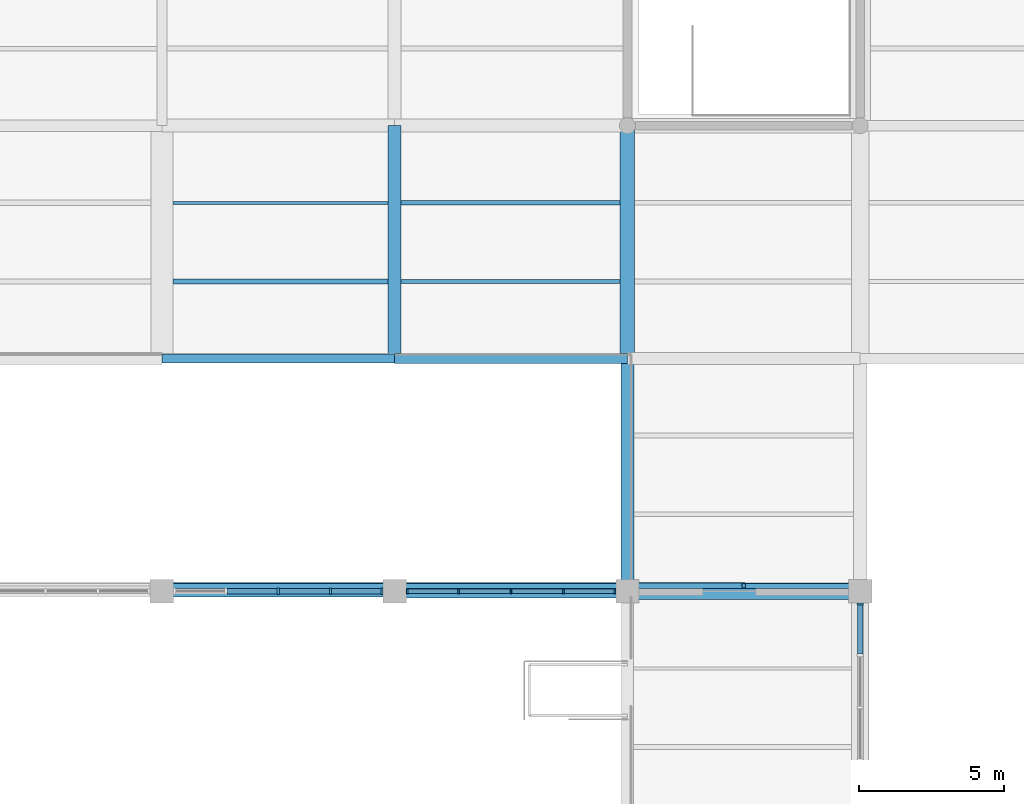
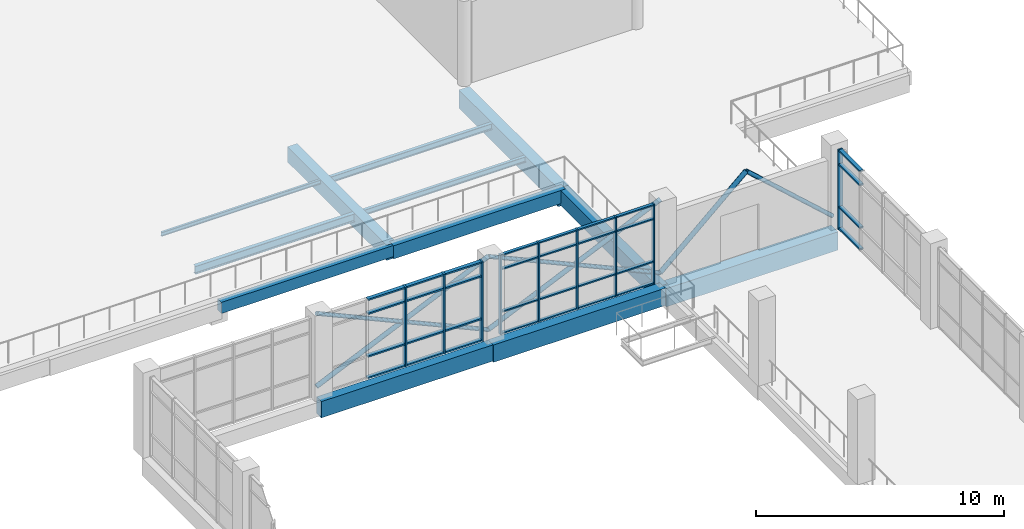
# One storey, part 47 of 84: 47 members, 12 beams, 3 elements without a shape of their own.
"""IFC4 building model written with IfcOpenShell, lengths in metres."""

from ifc_helpers import new_model, si_unit, direction, frame, origin, origin_2d, place, context, subcontext, project, spatial, rectangle, hollow_circle, i_section, extrude, material, material_profile, profile_set, type_object, element, aggregate, save


model = new_model("IFC4")

# Units and contexts
model_context = context("Model", 3, precision=1e-05, world=origin(), true_north=direction((0.0, 1.0)))
body_context = subcontext(model_context, "Body", "Model", "MODEL_VIEW")
ifc_project = project(units=[si_unit("LENGTHUNIT", "METRE"), si_unit("AREAUNIT", "SQUARE_METRE"), si_unit("VOLUMEUNIT", "CUBIC_METRE"), si_unit("PLANEANGLEUNIT", "RADIAN"), si_unit("MASSUNIT", "GRAM", prefix="KILO")], contexts=[model_context])

# Site, building, storey
site_placement = place(None, origin())
site = spatial("IfcSite", under=ifc_project, at=site_placement, CompositionType="ELEMENT")
building_placement = place(site_placement, origin())
building = spatial("IfcBuilding", under=site, at=building_placement, Name="Tenunan Teduh Sports Hall", CompositionType="ELEMENT")
storey_placement = place(building_placement, frame((0.0, 0.0, 10.800048828125)))
storey = spatial("IfcBuildingStorey", under=building, at=storey_placement, Name="L02", CompositionType="ELEMENT", Elevation=10.800048828125)

# Beams
ifc_material_1 = material(Name="Concrete C40/50", Category="concrete")
ifc_material_profile_1 = material_profile(ifc_material_1, rectangle(XDim=0.300048828125, YDim=0.550048828125, at=origin_2d()), Name="RCB 300x550")
ifc_profile_set_1 = profile_set([ifc_material_profile_1], Name="Concrete C40/50")
beam_type_1 = type_object("IfcBeamType", Name="BM-RC-300x550", PredefinedType="BEAM", material=ifc_profile_set_1)
beam_1_placement = place(storey_placement, frame((130.0, 86.0, -0.53515625), z_axis=(1.0, 0.0, 0.0), x_axis=(0.0, 1.0, 0.0)))
element("IfcBeam", 1, at=beam_1_placement, inside=storey, type_object=beam_type_1, Name="BM-B-02-L02-1503", PredefinedType="BEAM", context=body_context, shape_type="SweptSolid", body=[
    extrude(rectangle(XDim=0.300048828125, YDim=0.550048828125, at=origin_2d()), origin(), (0.0, 0.0, 1.0), 8.0),
])
ifc_material_2 = material(Name="Concrete C40/50", Category="concrete")
ifc_material_profile_2 = material_profile(ifc_material_2, rectangle(XDim=0.35009765625, YDim=0.64990234375, at=origin_2d()), Name="RCB 350x650")
ifc_profile_set_2 = profile_set([ifc_material_profile_2], Name="Concrete C40/50")
beam_type_2 = type_object("IfcBeamType", Name="BM-RC-350x650", PredefinedType="BEAM", material=ifc_profile_set_2)
beam_2_placement = place(storey_placement, frame((138.0, 86.0, -0.5849609375), z_axis=(1.0, 0.0, 0.0), x_axis=(0.0, 1.0, 0.0)))
element("IfcBeam", 2, at=beam_2_placement, inside=storey, type_object=beam_type_2, Name="BM-B-05-L02-1504", PredefinedType="BEAM", context=body_context, shape_type="SweptSolid", body=[
    extrude(rectangle(XDim=0.35009765625, YDim=0.64990234375, at=origin_2d()), origin(), (0.0, 0.0, 1.0), 8.0),
])
ifc_material_3 = material(Name="Concrete C40/50", Category="concrete")
ifc_material_profile_3 = material_profile(ifc_material_3, rectangle(XDim=0.39990234375, YDim=0.800048828125, at=origin_2d()), Name="RCB 400x800")
ifc_profile_set_3 = profile_set([ifc_material_profile_3], Name="Concrete C40/50")
beam_type_3 = type_object("IfcBeamType", Name="BM-RC-400x800", PredefinedType="BEAM", material=ifc_profile_set_3)
beam_3_placement = place(storey_placement, frame((130.0, 78.0, -0.66015625), z_axis=(1.0, 0.0, 0.0), x_axis=(0.0, 1.0, 0.0)))
element("IfcBeam", 3, at=beam_3_placement, inside=storey, type_object=beam_type_3, Name="BM-B-10-L02-1488", PredefinedType="BEAM", context=body_context, shape_type="SweptSolid", body=[
    extrude(rectangle(XDim=0.39990234375, YDim=0.800048828125, at=origin_2d()), origin(), (0.0, 0.0, 1.0), 8.0),
])
ifc_material_4 = material(Name="Concrete C40/50", Category="concrete")
ifc_material_profile_4 = material_profile(ifc_material_4, rectangle(XDim=0.449951171875, YDim=0.75, at=origin_2d()), Name="RCB 450x750")
ifc_profile_set_4 = profile_set([ifc_material_profile_4], Name="Concrete C40/50")
beam_type_4 = type_object("IfcBeamType", Name="BM-RC-450x750", PredefinedType="BEAM", material=ifc_profile_set_4)
for number, where, z_axis, x_axis, name in (
    (4, (146.0, 78.0, -0.635009765625), (0.0, 1.0, 0.0), (-1.0, 0.0, 0.0), "BM-B-11-L02-0613"),
    (5, (138.0, 86.0, -0.635009765625), (0.0, 1.0, 0.0), (-1.0, 0.0, 0.0), "BM-B-11-L02-1649"),
):
    element("IfcBeam", number, at=place(storey_placement, frame(where, z_axis=z_axis, x_axis=x_axis)), inside=storey, type_object=beam_type_4, Name=name, PredefinedType="BEAM", context=body_context, shape_type="SweptSolid", body=[
        extrude(rectangle(XDim=0.449951171875, YDim=0.75, at=origin_2d()), origin(), (0.0, 0.0, 1.0), 8.0),
    ])
ifc_material_5 = material(Name="Concrete C40/50", Category="concrete")
ifc_material_profile_5 = material_profile(ifc_material_5, rectangle(XDim=0.449951171875, YDim=0.85009765625, at=origin_2d()), Name="RCB 450x850")
ifc_profile_set_5 = profile_set([ifc_material_profile_5], Name="Concrete C40/50")
beam_type_5 = type_object("IfcBeamType", Name="BM-RC-450x850", PredefinedType="BEAM", material=ifc_profile_set_5)
beam_4_placement = place(storey_placement, frame((138.0, 78.0, -0.68505859375), z_axis=(1.0, 0.0, 0.0), x_axis=(0.0, 1.0, 0.0)))
element("IfcBeam", 6, at=beam_4_placement, inside=storey, type_object=beam_type_5, Name="BM-B-13-L02-1489", PredefinedType="BEAM", context=body_context, shape_type="SweptSolid", body=[
    extrude(rectangle(XDim=0.449951171875, YDim=0.85009765625, at=origin_2d()), origin(), (0.0, 0.0, 1.0), 8.0),
])
ifc_material_6 = material(Name="Concrete C40/50", Category="concrete")
ifc_material_profile_6 = material_profile(ifc_material_6, rectangle(XDim=0.5, YDim=0.89990234375, at=origin_2d()), Name="RCB 500x900")
ifc_profile_set_6 = profile_set([ifc_material_profile_6], Name="Concrete C40/50")
beam_type_6 = type_object("IfcBeamType", Name="BM-RC-500x900", PredefinedType="BEAM", material=ifc_profile_set_6)
beam_5_placement = place(storey_placement, frame((146.0, 86.0, -0.7099609375), z_axis=(0.0, 1.0, 0.0), x_axis=(-1.0, 0.0, 0.0)))
element("IfcBeam", 7, at=beam_5_placement, inside=storey, type_object=beam_type_6, Name="BM-B-15-L02-1657", PredefinedType="BEAM", context=body_context, shape_type="SweptSolid", body=[
    extrude(rectangle(XDim=0.5, YDim=0.89990234375, at=origin_2d()), origin(), (0.0, 0.0, 1.0), 8.0),
])
ifc_material_7 = material(Name="Concrete C40/50", Category="concrete")
ifc_material_profile_7 = material_profile(ifc_material_7, rectangle(XDim=0.550048828125, YDim=0.89990234375, at=origin_2d()), Name="RCB 550x900")
ifc_profile_set_7 = profile_set([ifc_material_profile_7], Name="Concrete C40/50")
beam_type_7 = type_object("IfcBeamType", Name="BM-RC-550x900", PredefinedType="BEAM", material=ifc_profile_set_7)
beam_6_placement = place(storey_placement, frame((146.0, 78.0, -0.7099609375), z_axis=(1.0, 0.0, 0.0), x_axis=(0.0, 1.0, 0.0)))
element("IfcBeam", 8, at=beam_6_placement, inside=storey, type_object=beam_type_7, Name="BM-B-16-L02-1490", PredefinedType="BEAM", context=body_context, shape_type="SweptSolid", body=[
    extrude(rectangle(XDim=0.550048828125, YDim=0.89990234375, at=origin_2d()), origin(), (0.0, 0.0, 1.0), 8.0),
])

# Curtain wall, members
ifc_material_8 = material(Name="Anodised aluminium", Category="aluminium")
curtain_wall_type = type_object("IfcCurtainWallType", Name="CW-UNIT-2", PredefinedType="NOTDEFINED", material=ifc_material_8)
curtain_wall_1_placement = place(storey_placement, origin())
curtain_wall_1 = element("IfcCurtainWall", 9, at=curtain_wall_1_placement, inside=storey, type_object=curtain_wall_type, Name="CW-CWM-175-L02-130", PredefinedType="NOTDEFINED")
ifc_material_9 = material(Name="Anodised aluminium", Category="aluminium")
ifc_material_profile_8 = material_profile(ifc_material_9, rectangle(XDim=0.06494140625, YDim=0.175048828125, at=origin_2d()), Name="CWM 65x175")
ifc_profile_set_8 = profile_set([ifc_material_profile_8], Name="Anodised aluminium")
member_type_1 = type_object("IfcMemberType", Name="CWM-175", PredefinedType="MULLION", material=ifc_profile_set_8)
member_1_placement = place(storey_placement, frame((138.4326171875, 78.0, 0.0), z_axis=(0.0, 0.0, 1.0), x_axis=(1.0, 0.0, 0.0)))
member_1 = element("IfcMember", 10, at=member_1_placement, type_object=member_type_1, Name="CW-02 mullion 1", PredefinedType="MULLION", context=body_context, shape_type="SweptSolid", body=[
    extrude(rectangle(XDim=0.06494140625, YDim=0.175048828125, at=origin_2d()), origin(), (0.0, 0.0, 1.0), 3.919921875),
])
member_2_placement = place(storey_placement, frame((140.199951171875, 78.0, 0.0), z_axis=(0.0, 0.0, 1.0), x_axis=(1.0, 0.0, 0.0)))
member_2 = element("IfcMember", 11, at=member_2_placement, type_object=member_type_1, Name="CW-02 mullion 2", PredefinedType="MULLION", context=body_context, shape_type="SweptSolid", body=[
    extrude(rectangle(XDim=0.06494140625, YDim=0.175048828125, at=origin_2d()), origin(), (0.0, 0.0, 1.0), 3.919921875),
])
member_3_placement = place(storey_placement, frame((142.0, 78.0, 0.0), z_axis=(0.0, 0.0, 1.0), x_axis=(1.0, 0.0, 0.0)))
member_3 = element("IfcMember", 12, at=member_3_placement, type_object=member_type_1, Name="CW-02 mullion 3", PredefinedType="MULLION", context=body_context, shape_type="SweptSolid", body=[
    extrude(rectangle(XDim=0.06494140625, YDim=0.175048828125, at=origin_2d()), origin(), (0.0, 0.0, 1.0), 3.919921875),
])
member_4_placement = place(storey_placement, frame((143.800048828125, 78.0, 0.0), z_axis=(0.0, 0.0, 1.0), x_axis=(1.0, 0.0, 0.0)))
member_4 = element("IfcMember", 13, at=member_4_placement, type_object=member_type_1, Name="CW-02 mullion 4", PredefinedType="MULLION", context=body_context, shape_type="SweptSolid", body=[
    extrude(rectangle(XDim=0.06494140625, YDim=0.175048828125, at=origin_2d()), origin(), (0.0, 0.0, 1.0), 3.919921875),
])
member_5_placement = place(storey_placement, frame((145.5673828125, 78.0, 0.0), z_axis=(0.0, 0.0, 1.0), x_axis=(1.0, 0.0, 0.0)))
member_5 = element("IfcMember", 14, at=member_5_placement, type_object=member_type_1, Name="CW-02 mullion 5", PredefinedType="MULLION", context=body_context, shape_type="SweptSolid", body=[
    extrude(rectangle(XDim=0.06494140625, YDim=0.175048828125, at=origin_2d()), origin(), (0.0, 0.0, 1.0), 3.919921875),
])

curtain_wall_2_placement = place(storey_placement, origin())
curtain_wall_2 = element("IfcCurtainWall", 15, at=curtain_wall_2_placement, inside=storey, type_object=curtain_wall_type, Name="CW-CWM-220-L02-129", PredefinedType="NOTDEFINED")
ifc_material_10 = material(Name="Anodised aluminium", Category="aluminium")
ifc_material_profile_9 = material_profile(ifc_material_10, rectangle(XDim=0.074951171875, YDim=0.219970703125, at=origin_2d()), Name="CWM 75x220")
ifc_profile_set_9 = profile_set([ifc_material_profile_9], Name="Anodised aluminium")
member_type_2 = type_object("IfcMemberType", Name="CWM-220", PredefinedType="MULLION", material=ifc_profile_set_9)
member_6_placement = place(storey_placement, frame((134.0, 78.0, 0.0), z_axis=(0.0, 0.0, 1.0), x_axis=(1.0, 0.0, 0.0)))
member_6 = element("IfcMember", 16, at=member_6_placement, type_object=member_type_2, Name="CW-02 mullion 3", PredefinedType="MULLION", context=body_context, shape_type="SweptSolid", body=[
    extrude(rectangle(XDim=0.074951171875, YDim=0.219970703125, at=origin_2d()), origin(), (0.0, 0.0, 1.0), 3.919921875),
])
member_7_placement = place(storey_placement, frame((135.800048828125, 78.0, 0.0), z_axis=(0.0, 0.0, 1.0), x_axis=(1.0, 0.0, 0.0)))
member_7 = element("IfcMember", 17, at=member_7_placement, type_object=member_type_2, Name="CW-02 mullion 4", PredefinedType="MULLION", context=body_context, shape_type="SweptSolid", body=[
    extrude(rectangle(XDim=0.074951171875, YDim=0.219970703125, at=origin_2d()), origin(), (0.0, 0.0, 1.0), 3.919921875),
])
member_8_placement = place(storey_placement, frame((137.5625, 78.0, 0.0), z_axis=(0.0, 0.0, 1.0), x_axis=(1.0, 0.0, 0.0)))
member_8 = element("IfcMember", 18, at=member_8_placement, type_object=member_type_2, Name="CW-02 mullion 5", PredefinedType="MULLION", context=body_context, shape_type="SweptSolid", body=[
    extrude(rectangle(XDim=0.074951171875, YDim=0.219970703125, at=origin_2d()), origin(), (0.0, 0.0, 1.0), 3.919921875),
])

# Curtain wall, member
curtain_wall_3_placement = place(storey_placement, origin())
curtain_wall_3 = element("IfcCurtainWall", 19, at=curtain_wall_3_placement, inside=storey, type_object=curtain_wall_type, Name="CW-CWM-220-L02-137", PredefinedType="NOTDEFINED")
member_9_placement = place(storey_placement, frame((154.0, 77.5625, 0.0), z_axis=(0.0, 0.0, 1.0), x_axis=(0.0, 1.0, 0.0)))
member_9 = element("IfcMember", 20, at=member_9_placement, type_object=member_type_2, Name="CW-02 mullion 5", PredefinedType="MULLION", context=body_context, shape_type="SweptSolid", body=[
    extrude(rectangle(XDim=0.074951171875, YDim=0.219970703125, at=origin_2d()), origin(), (0.0, 0.0, 1.0), 3.919921875),
])

# Member
ifc_material_11 = material(Name="Anodised aluminium", Category="aluminium")
ifc_material_profile_10 = material_profile(ifc_material_11, rectangle(XDim=0.06494140625, YDim=0.139892578125, at=origin_2d()), Name="CWT 65x140")
ifc_profile_set_10 = profile_set([ifc_material_profile_10], Name="Anodised aluminium")
member_type_3 = type_object("IfcMemberType", Name="CWT-150", PredefinedType="USERDEFINED", material=ifc_profile_set_10)
member_10_placement = place(storey_placement, frame((138.465087890625, 78.0, 0.032470703125), z_axis=(1.0, 0.0, 0.0), x_axis=(0.0, 0.0, 1.0)))
member_10 = element("IfcMember", 21, at=member_10_placement, type_object=member_type_3, Name="CW-02 transom 1.1", ObjectType="TRANSOM", PredefinedType="USERDEFINED", context=body_context, shape_type="SweptSolid", body=[
    extrude(rectangle(XDim=0.06494140625, YDim=0.139892578125, at=origin_2d()), origin(), (0.0, 0.0, 1.0), 1.702392578125),
])

member_11_placement = place(storey_placement, frame((138.465087890625, 78.0, 1.099853515625), z_axis=(1.0, 0.0, 0.0), x_axis=(0.0, 0.0, 1.0)))
member_11 = element("IfcMember", 22, at=member_11_placement, type_object=member_type_3, Name="CW-02 transom 1.2", ObjectType="TRANSOM", PredefinedType="USERDEFINED", context=body_context, shape_type="SweptSolid", body=[
    extrude(rectangle(XDim=0.06494140625, YDim=0.139892578125, at=origin_2d()), origin(), (0.0, 0.0, 1.0), 1.702392578125),
])

member_12_placement = place(storey_placement, frame((138.465087890625, 78.0, 3.199951171875), z_axis=(1.0, 0.0, 0.0), x_axis=(0.0, 0.0, 1.0)))
member_12 = element("IfcMember", 23, at=member_12_placement, type_object=member_type_3, Name="CW-02 transom 1.3", ObjectType="TRANSOM", PredefinedType="USERDEFINED", context=body_context, shape_type="SweptSolid", body=[
    extrude(rectangle(XDim=0.06494140625, YDim=0.139892578125, at=origin_2d()), origin(), (0.0, 0.0, 1.0), 1.702392578125),
])

member_13_placement = place(storey_placement, frame((138.465087890625, 78.0, 3.887451171875), z_axis=(1.0, 0.0, 0.0), x_axis=(0.0, 0.0, 1.0)))
member_13 = element("IfcMember", 24, at=member_13_placement, type_object=member_type_3, Name="CW-02 transom 1.4", ObjectType="TRANSOM", PredefinedType="USERDEFINED", context=body_context, shape_type="SweptSolid", body=[
    extrude(rectangle(XDim=0.06494140625, YDim=0.139892578125, at=origin_2d()), origin(), (0.0, 0.0, 1.0), 1.702392578125),
])

member_14_placement = place(storey_placement, frame((140.232421875, 78.0, 0.032470703125), z_axis=(1.0, 0.0, 0.0), x_axis=(0.0, 0.0, 1.0)))
member_14 = element("IfcMember", 25, at=member_14_placement, type_object=member_type_3, Name="CW-02 transom 2.1", ObjectType="TRANSOM", PredefinedType="USERDEFINED", context=body_context, shape_type="SweptSolid", body=[
    extrude(rectangle(XDim=0.06494140625, YDim=0.139892578125, at=origin_2d()), origin(), (0.0, 0.0, 1.0), 1.735107421875),
])

member_15_placement = place(storey_placement, frame((140.232421875, 78.0, 1.099853515625), z_axis=(1.0, 0.0, 0.0), x_axis=(0.0, 0.0, 1.0)))
member_15 = element("IfcMember", 26, at=member_15_placement, type_object=member_type_3, Name="CW-02 transom 2.2", ObjectType="TRANSOM", PredefinedType="USERDEFINED", context=body_context, shape_type="SweptSolid", body=[
    extrude(rectangle(XDim=0.06494140625, YDim=0.139892578125, at=origin_2d()), origin(), (0.0, 0.0, 1.0), 1.735107421875),
])

member_16_placement = place(storey_placement, frame((140.232421875, 78.0, 3.199951171875), z_axis=(1.0, 0.0, 0.0), x_axis=(0.0, 0.0, 1.0)))
member_16 = element("IfcMember", 27, at=member_16_placement, type_object=member_type_3, Name="CW-02 transom 2.3", ObjectType="TRANSOM", PredefinedType="USERDEFINED", context=body_context, shape_type="SweptSolid", body=[
    extrude(rectangle(XDim=0.06494140625, YDim=0.139892578125, at=origin_2d()), origin(), (0.0, 0.0, 1.0), 1.735107421875),
])

member_17_placement = place(storey_placement, frame((140.232421875, 78.0, 3.887451171875), z_axis=(1.0, 0.0, 0.0), x_axis=(0.0, 0.0, 1.0)))
member_17 = element("IfcMember", 28, at=member_17_placement, type_object=member_type_3, Name="CW-02 transom 2.4", ObjectType="TRANSOM", PredefinedType="USERDEFINED", context=body_context, shape_type="SweptSolid", body=[
    extrude(rectangle(XDim=0.06494140625, YDim=0.139892578125, at=origin_2d()), origin(), (0.0, 0.0, 1.0), 1.735107421875),
])

member_18_placement = place(storey_placement, frame((142.032470703125, 78.0, 0.032470703125), z_axis=(1.0, 0.0, 0.0), x_axis=(0.0, 0.0, 1.0)))
member_18 = element("IfcMember", 29, at=member_18_placement, type_object=member_type_3, Name="CW-02 transom 3.1", ObjectType="TRANSOM", PredefinedType="USERDEFINED", context=body_context, shape_type="SweptSolid", body=[
    extrude(rectangle(XDim=0.06494140625, YDim=0.139892578125, at=origin_2d()), origin(), (0.0, 0.0, 1.0), 1.735107421875),
])

member_19_placement = place(storey_placement, frame((142.032470703125, 78.0, 1.099853515625), z_axis=(1.0, 0.0, 0.0), x_axis=(0.0, 0.0, 1.0)))
member_19 = element("IfcMember", 30, at=member_19_placement, type_object=member_type_3, Name="CW-02 transom 3.2", ObjectType="TRANSOM", PredefinedType="USERDEFINED", context=body_context, shape_type="SweptSolid", body=[
    extrude(rectangle(XDim=0.06494140625, YDim=0.139892578125, at=origin_2d()), origin(), (0.0, 0.0, 1.0), 1.735107421875),
])

member_20_placement = place(storey_placement, frame((142.032470703125, 78.0, 3.199951171875), z_axis=(1.0, 0.0, 0.0), x_axis=(0.0, 0.0, 1.0)))
member_20 = element("IfcMember", 31, at=member_20_placement, type_object=member_type_3, Name="CW-02 transom 3.3", ObjectType="TRANSOM", PredefinedType="USERDEFINED", context=body_context, shape_type="SweptSolid", body=[
    extrude(rectangle(XDim=0.06494140625, YDim=0.139892578125, at=origin_2d()), origin(), (0.0, 0.0, 1.0), 1.735107421875),
])

member_21_placement = place(storey_placement, frame((142.032470703125, 78.0, 3.887451171875), z_axis=(1.0, 0.0, 0.0), x_axis=(0.0, 0.0, 1.0)))
member_21 = element("IfcMember", 32, at=member_21_placement, type_object=member_type_3, Name="CW-02 transom 3.4", ObjectType="TRANSOM", PredefinedType="USERDEFINED", context=body_context, shape_type="SweptSolid", body=[
    extrude(rectangle(XDim=0.06494140625, YDim=0.139892578125, at=origin_2d()), origin(), (0.0, 0.0, 1.0), 1.735107421875),
])

member_22_placement = place(storey_placement, frame((143.83251953125, 78.0, 0.032470703125), z_axis=(1.0, 0.0, 0.0), x_axis=(0.0, 0.0, 1.0)))
member_22 = element("IfcMember", 33, at=member_22_placement, type_object=member_type_3, Name="CW-02 transom 4.1", ObjectType="TRANSOM", PredefinedType="USERDEFINED", context=body_context, shape_type="SweptSolid", body=[
    extrude(rectangle(XDim=0.06494140625, YDim=0.139892578125, at=origin_2d()), origin(), (0.0, 0.0, 1.0), 1.702392578125),
])

member_23_placement = place(storey_placement, frame((143.83251953125, 78.0, 1.099853515625), z_axis=(1.0, 0.0, 0.0), x_axis=(0.0, 0.0, 1.0)))
member_23 = element("IfcMember", 34, at=member_23_placement, type_object=member_type_3, Name="CW-02 transom 4.2", ObjectType="TRANSOM", PredefinedType="USERDEFINED", context=body_context, shape_type="SweptSolid", body=[
    extrude(rectangle(XDim=0.06494140625, YDim=0.139892578125, at=origin_2d()), origin(), (0.0, 0.0, 1.0), 1.702392578125),
])

member_24_placement = place(storey_placement, frame((143.83251953125, 78.0, 3.199951171875), z_axis=(1.0, 0.0, 0.0), x_axis=(0.0, 0.0, 1.0)))
member_24 = element("IfcMember", 35, at=member_24_placement, type_object=member_type_3, Name="CW-02 transom 4.3", ObjectType="TRANSOM", PredefinedType="USERDEFINED", context=body_context, shape_type="SweptSolid", body=[
    extrude(rectangle(XDim=0.06494140625, YDim=0.139892578125, at=origin_2d()), origin(), (0.0, 0.0, 1.0), 1.702392578125),
])

member_25_placement = place(storey_placement, frame((143.83251953125, 78.0, 3.887451171875), z_axis=(1.0, 0.0, 0.0), x_axis=(0.0, 0.0, 1.0)))
member_25 = element("IfcMember", 36, at=member_25_placement, type_object=member_type_3, Name="CW-02 transom 4.4", ObjectType="TRANSOM", PredefinedType="USERDEFINED", context=body_context, shape_type="SweptSolid", body=[
    extrude(rectangle(XDim=0.06494140625, YDim=0.139892578125, at=origin_2d()), origin(), (0.0, 0.0, 1.0), 1.702392578125),
])

aggregate(curtain_wall_1, [member_1, member_2, member_3, member_4, member_5, member_10, member_11, member_12, member_13, member_14, member_15, member_16, member_17, member_18, member_19, member_20, member_21, member_22, member_23, member_24, member_25])

ifc_material_12 = material(Name="Anodised aluminium", Category="aluminium")
ifc_material_profile_11 = material_profile(ifc_material_12, rectangle(XDim=0.074951171875, YDim=0.179931640625, at=origin_2d()), Name="CWT 75x180")
ifc_profile_set_11 = profile_set([ifc_material_profile_11], Name="Anodised aluminium")
member_type_4 = type_object("IfcMemberType", Name="CWT-180", PredefinedType="USERDEFINED", material=ifc_profile_set_11)
member_26_placement = place(storey_placement, frame((132.237548828125, 78.0, 0.037353515625), z_axis=(1.0, 0.0, 0.0), x_axis=(0.0, 0.0, 1.0)))
member_26 = element("IfcMember", 37, at=member_26_placement, type_object=member_type_4, Name="CW-02 transom 2.1", ObjectType="TRANSOM", PredefinedType="USERDEFINED", context=body_context, shape_type="SweptSolid", body=[
    extrude(rectangle(XDim=0.074951171875, YDim=0.179931640625, at=origin_2d()), origin(), (0.0, 0.0, 1.0), 1.724853515625),
])

member_27_placement = place(storey_placement, frame((132.237548828125, 78.0, 1.099853515625), z_axis=(1.0, 0.0, 0.0), x_axis=(0.0, 0.0, 1.0)))
member_27 = element("IfcMember", 38, at=member_27_placement, type_object=member_type_4, Name="CW-02 transom 2.2", ObjectType="TRANSOM", PredefinedType="USERDEFINED", context=body_context, shape_type="SweptSolid", body=[
    extrude(rectangle(XDim=0.074951171875, YDim=0.179931640625, at=origin_2d()), origin(), (0.0, 0.0, 1.0), 1.724853515625),
])

member_28_placement = place(storey_placement, frame((132.237548828125, 78.0, 3.199951171875), z_axis=(1.0, 0.0, 0.0), x_axis=(0.0, 0.0, 1.0)))
member_28 = element("IfcMember", 39, at=member_28_placement, type_object=member_type_4, Name="CW-02 transom 2.3", ObjectType="TRANSOM", PredefinedType="USERDEFINED", context=body_context, shape_type="SweptSolid", body=[
    extrude(rectangle(XDim=0.074951171875, YDim=0.179931640625, at=origin_2d()), origin(), (0.0, 0.0, 1.0), 1.724853515625),
])

member_29_placement = place(storey_placement, frame((132.237548828125, 78.0, 3.882568359375), z_axis=(1.0, 0.0, 0.0), x_axis=(0.0, 0.0, 1.0)))
member_29 = element("IfcMember", 40, at=member_29_placement, type_object=member_type_4, Name="CW-02 transom 2.4", ObjectType="TRANSOM", PredefinedType="USERDEFINED", context=body_context, shape_type="SweptSolid", body=[
    extrude(rectangle(XDim=0.074951171875, YDim=0.179931640625, at=origin_2d()), origin(), (0.0, 0.0, 1.0), 1.724853515625),
])

member_30_placement = place(storey_placement, frame((134.03759765625, 78.0, 0.037353515625), z_axis=(1.0, 0.0, 0.0), x_axis=(0.0, 0.0, 1.0)))
member_30 = element("IfcMember", 41, at=member_30_placement, type_object=member_type_4, Name="CW-02 transom 3.1", ObjectType="TRANSOM", PredefinedType="USERDEFINED", context=body_context, shape_type="SweptSolid", body=[
    extrude(rectangle(XDim=0.074951171875, YDim=0.179931640625, at=origin_2d()), origin(), (0.0, 0.0, 1.0), 1.724853515625),
])

member_31_placement = place(storey_placement, frame((134.03759765625, 78.0, 1.099853515625), z_axis=(1.0, 0.0, 0.0), x_axis=(0.0, 0.0, 1.0)))
member_31 = element("IfcMember", 42, at=member_31_placement, type_object=member_type_4, Name="CW-02 transom 3.2", ObjectType="TRANSOM", PredefinedType="USERDEFINED", context=body_context, shape_type="SweptSolid", body=[
    extrude(rectangle(XDim=0.074951171875, YDim=0.179931640625, at=origin_2d()), origin(), (0.0, 0.0, 1.0), 1.724853515625),
])

member_32_placement = place(storey_placement, frame((134.03759765625, 78.0, 3.199951171875), z_axis=(1.0, 0.0, 0.0), x_axis=(0.0, 0.0, 1.0)))
member_32 = element("IfcMember", 43, at=member_32_placement, type_object=member_type_4, Name="CW-02 transom 3.3", ObjectType="TRANSOM", PredefinedType="USERDEFINED", context=body_context, shape_type="SweptSolid", body=[
    extrude(rectangle(XDim=0.074951171875, YDim=0.179931640625, at=origin_2d()), origin(), (0.0, 0.0, 1.0), 1.724853515625),
])

member_33_placement = place(storey_placement, frame((134.03759765625, 78.0, 3.882568359375), z_axis=(1.0, 0.0, 0.0), x_axis=(0.0, 0.0, 1.0)))
member_33 = element("IfcMember", 44, at=member_33_placement, type_object=member_type_4, Name="CW-02 transom 3.4", ObjectType="TRANSOM", PredefinedType="USERDEFINED", context=body_context, shape_type="SweptSolid", body=[
    extrude(rectangle(XDim=0.074951171875, YDim=0.179931640625, at=origin_2d()), origin(), (0.0, 0.0, 1.0), 1.724853515625),
])

member_34_placement = place(storey_placement, frame((135.83740234375, 78.0, 0.037353515625), z_axis=(1.0, 0.0, 0.0), x_axis=(0.0, 0.0, 1.0)))
member_34 = element("IfcMember", 45, at=member_34_placement, type_object=member_type_4, Name="CW-02 transom 4.1", ObjectType="TRANSOM", PredefinedType="USERDEFINED", context=body_context, shape_type="SweptSolid", body=[
    extrude(rectangle(XDim=0.074951171875, YDim=0.179931640625, at=origin_2d()), origin(), (0.0, 0.0, 1.0), 1.6875),
])

member_35_placement = place(storey_placement, frame((135.83740234375, 78.0, 1.099853515625), z_axis=(1.0, 0.0, 0.0), x_axis=(0.0, 0.0, 1.0)))
member_35 = element("IfcMember", 46, at=member_35_placement, type_object=member_type_4, Name="CW-02 transom 4.2", ObjectType="TRANSOM", PredefinedType="USERDEFINED", context=body_context, shape_type="SweptSolid", body=[
    extrude(rectangle(XDim=0.074951171875, YDim=0.179931640625, at=origin_2d()), origin(), (0.0, 0.0, 1.0), 1.6875),
])

member_36_placement = place(storey_placement, frame((135.83740234375, 78.0, 3.199951171875), z_axis=(1.0, 0.0, 0.0), x_axis=(0.0, 0.0, 1.0)))
member_36 = element("IfcMember", 47, at=member_36_placement, type_object=member_type_4, Name="CW-02 transom 4.3", ObjectType="TRANSOM", PredefinedType="USERDEFINED", context=body_context, shape_type="SweptSolid", body=[
    extrude(rectangle(XDim=0.074951171875, YDim=0.179931640625, at=origin_2d()), origin(), (0.0, 0.0, 1.0), 1.6875),
])

member_37_placement = place(storey_placement, frame((135.83740234375, 78.0, 3.882568359375), z_axis=(1.0, 0.0, 0.0), x_axis=(0.0, 0.0, 1.0)))
member_37 = element("IfcMember", 48, at=member_37_placement, type_object=member_type_4, Name="CW-02 transom 4.4", ObjectType="TRANSOM", PredefinedType="USERDEFINED", context=body_context, shape_type="SweptSolid", body=[
    extrude(rectangle(XDim=0.074951171875, YDim=0.179931640625, at=origin_2d()), origin(), (0.0, 0.0, 1.0), 1.6875),
])

aggregate(curtain_wall_2, [member_6, member_7, member_8, member_26, member_27, member_28, member_29, member_30, member_31, member_32, member_33, member_34, member_35, member_36, member_37])

member_38_placement = place(storey_placement, frame((154.0, 75.83740234375, 0.037353515625), z_axis=(0.0, 1.0, 0.0), x_axis=(0.0, 0.0, 1.0)))
member_38 = element("IfcMember", 49, at=member_38_placement, type_object=member_type_4, Name="CW-02 transom 4.1", ObjectType="TRANSOM", PredefinedType="USERDEFINED", context=body_context, shape_type="SweptSolid", body=[
    extrude(rectangle(XDim=0.074951171875, YDim=0.179931640625, at=origin_2d()), origin(), (0.0, 0.0, 1.0), 1.6875),
])

member_39_placement = place(storey_placement, frame((154.0, 75.83740234375, 1.099853515625), z_axis=(0.0, 1.0, 0.0), x_axis=(0.0, 0.0, 1.0)))
member_39 = element("IfcMember", 50, at=member_39_placement, type_object=member_type_4, Name="CW-02 transom 4.2", ObjectType="TRANSOM", PredefinedType="USERDEFINED", context=body_context, shape_type="SweptSolid", body=[
    extrude(rectangle(XDim=0.074951171875, YDim=0.179931640625, at=origin_2d()), origin(), (0.0, 0.0, 1.0), 1.6875),
])

member_40_placement = place(storey_placement, frame((154.0, 75.83740234375, 3.199951171875), z_axis=(0.0, 1.0, 0.0), x_axis=(0.0, 0.0, 1.0)))
member_40 = element("IfcMember", 51, at=member_40_placement, type_object=member_type_4, Name="CW-02 transom 4.3", ObjectType="TRANSOM", PredefinedType="USERDEFINED", context=body_context, shape_type="SweptSolid", body=[
    extrude(rectangle(XDim=0.074951171875, YDim=0.179931640625, at=origin_2d()), origin(), (0.0, 0.0, 1.0), 1.6875),
])

member_41_placement = place(storey_placement, frame((154.0, 75.83740234375, 3.882568359375), z_axis=(0.0, 1.0, 0.0), x_axis=(0.0, 0.0, 1.0)))
member_41 = element("IfcMember", 52, at=member_41_placement, type_object=member_type_4, Name="CW-02 transom 4.4", ObjectType="TRANSOM", PredefinedType="USERDEFINED", context=body_context, shape_type="SweptSolid", body=[
    extrude(rectangle(XDim=0.074951171875, YDim=0.179931640625, at=origin_2d()), origin(), (0.0, 0.0, 1.0), 1.6875),
])

aggregate(curtain_wall_3, [member_9, member_38, member_39, member_40, member_41])

# Beams
ifc_material_13 = material(Name="Steel S355", Category="steel")
ifc_material_profile_12 = material_profile(ifc_material_13, i_section(OverallWidth=0.10009765625, OverallDepth=0.199951171875, WebThickness=0.005615234375, FlangeThickness=0.008544921875, FilletRadius=0.011962890625, at=origin_2d()), Name="IPE 200")
ifc_profile_set_12 = profile_set([ifc_material_profile_12], Name="Steel S355")
beam_type_8 = type_object("IfcBeamType", Name="JST-IPE200", PredefinedType="JOIST", material=ifc_profile_set_12)
beam_7_placement = place(storey_placement, frame((130.375, 91.35009765625, -0.360107421875), z_axis=(1.0, 0.0, 0.0), x_axis=(0.0, 1.0, 0.0)))
element("IfcBeam", 53, at=beam_7_placement, inside=storey, type_object=beam_type_8, Name="BM-J-01-L02-1775", PredefinedType="JOIST", context=body_context, shape_type="SweptSolid", body=[
    extrude(i_section(OverallWidth=0.10009765625, OverallDepth=0.199951171875, WebThickness=0.005615234375, FlangeThickness=0.008544921875, FilletRadius=0.011962890625, at=origin_2d()), origin(), (0.0, 0.0, 1.0), 7.39990234375),
])
ifc_material_14 = material(Name="Steel S355", Category="steel")
ifc_material_profile_13 = material_profile(ifc_material_14, i_section(OverallWidth=0.135009765625, OverallDepth=0.27001953125, WebThickness=0.006591796875, FlangeThickness=0.01025390625, FilletRadius=0.014892578125, at=origin_2d()), Name="IPE 270")
ifc_profile_set_13 = profile_set([ifc_material_profile_13], Name="Steel S355")
beam_type_9 = type_object("IfcBeamType", Name="JST-IPE270", PredefinedType="JOIST", material=ifc_profile_set_13)
beam_8_placement = place(storey_placement, frame((138.22509765625, 88.64990234375, -0.39501953125), z_axis=(1.0, 0.0, 0.0), x_axis=(0.0, 1.0, 0.0)))
element("IfcBeam", 54, at=beam_8_placement, inside=storey, type_object=beam_type_9, Name="BM-J-03-L02-1782", PredefinedType="JOIST", context=body_context, shape_type="SweptSolid", body=[
    extrude(i_section(OverallWidth=0.135009765625, OverallDepth=0.27001953125, WebThickness=0.006591796875, FlangeThickness=0.01025390625, FilletRadius=0.014892578125, at=origin_2d()), origin(), (0.0, 0.0, 1.0), 7.52490234375),
])
ifc_material_15 = material(Name="Steel S355", Category="steel")
ifc_material_profile_14 = material_profile(ifc_material_15, i_section(OverallWidth=0.14990234375, OverallDepth=0.300048828125, WebThickness=0.007080078125, FlangeThickness=0.0107421875, FilletRadius=0.014892578125, at=origin_2d()), Name="IPE 300")
ifc_profile_set_14 = profile_set([ifc_material_profile_14], Name="Steel S355")
beam_type_10 = type_object("IfcBeamType", Name="JST-IPE300", PredefinedType="JOIST", material=ifc_profile_set_14)
beam_9_placement = place(storey_placement, frame((138.22509765625, 91.35009765625, -0.41015625), z_axis=(1.0, 0.0, 0.0), x_axis=(0.0, 1.0, 0.0)))
element("IfcBeam", 55, at=beam_9_placement, inside=storey, type_object=beam_type_10, Name="BM-J-04-L02-1783", PredefinedType="JOIST", context=body_context, shape_type="SweptSolid", body=[
    extrude(i_section(OverallWidth=0.14990234375, OverallDepth=0.300048828125, WebThickness=0.007080078125, FlangeThickness=0.0107421875, FilletRadius=0.014892578125, at=origin_2d()), origin(), (0.0, 0.0, 1.0), 7.52490234375),
])
ifc_material_16 = material(Name="Steel S355", Category="steel")
ifc_material_profile_15 = material_profile(ifc_material_16, i_section(OverallWidth=0.179931640625, OverallDepth=0.39990234375, WebThickness=0.008544921875, FlangeThickness=0.013427734375, FilletRadius=0.02099609375, at=origin_2d()), Name="IPE 400")
ifc_profile_set_15 = profile_set([ifc_material_profile_15], Name="Steel S355")
beam_type_11 = type_object("IfcBeamType", Name="JST-IPE400", PredefinedType="JOIST", material=ifc_profile_set_15)
beam_10_placement = place(storey_placement, frame((130.375, 88.64990234375, -0.4599609375), z_axis=(1.0, 0.0, 0.0), x_axis=(0.0, 1.0, 0.0)))
element("IfcBeam", 56, at=beam_10_placement, inside=storey, type_object=beam_type_11, Name="BM-J-06-L02-1774", PredefinedType="JOIST", context=body_context, shape_type="SweptSolid", body=[
    extrude(i_section(OverallWidth=0.179931640625, OverallDepth=0.39990234375, WebThickness=0.008544921875, FlangeThickness=0.013427734375, FilletRadius=0.02099609375, at=origin_2d()), origin(), (0.0, 0.0, 1.0), 7.39990234375),
])

# Members
ifc_material_17 = material(Name="Steel S355", Category="steel")
ifc_material_profile_16 = material_profile(ifc_material_17, hollow_circle(Radius=0.096923828125, WallThickness=0.008056640625, at=origin_2d()), Name="CHS 193.7x8.0")
ifc_profile_set_16 = profile_set([ifc_material_profile_16], Name="Steel S355")
member_type_5 = type_object("IfcMemberType", Name="MEM-BR-CHS194", PredefinedType="BRACE", material=ifc_profile_set_16)
for number, where, z_axis, x_axis, name in (
    (57, (138.0, 78.18994140625, 0.25), (-0.911927753762, 0.0, 0.410350791297), (0.0, -1.0, 0.0), "MEM-GD-03-L02-1079"),
    (58, (146.0, 78.18994140625, 0.25), (-0.911927753762, 0.0, 0.410350791297), (0.0, -1.0, 0.0), "MEM-GD-03-L02-1081"),
):
    element("IfcMember", number, at=place(storey_placement, frame(where, z_axis=z_axis, x_axis=x_axis)), inside=storey, type_object=member_type_5, Name=name, PredefinedType="BRACE", context=body_context, shape_type="SweptSolid", body=[
        extrude(hollow_circle(Radius=0.096923828125, WallThickness=0.008056640625, at=origin_2d()), origin(), (0.0, 0.0, 1.0), 8.772705078125),
    ])
member_42_placement = place(storey_placement, frame((154.0, 78.18994140625, 0.25), z_axis=(-0.74330768127, 0.0, 0.668949692402), x_axis=(0.0, -1.0, 0.0)))
element("IfcMember", 59, at=member_42_placement, inside=storey, type_object=member_type_5, Name="MEM-GD-03-L02-1083", PredefinedType="BRACE", context=body_context, shape_type="SweptSolid", body=[
    extrude(hollow_circle(Radius=0.096923828125, WallThickness=0.008056640625, at=origin_2d()), origin(), (0.0, 0.0, 1.0), 5.38134765625),
])
ifc_material_18 = material(Name="Steel S355", Category="steel")
ifc_material_profile_17 = material_profile(ifc_material_18, hollow_circle(Radius=0.109619140625, WallThickness=0.010009765625, at=origin_2d()), Name="CHS 219.1x10.0")
ifc_profile_set_17 = profile_set([ifc_material_profile_17], Name="Steel S355")
member_type_6 = type_object("IfcMemberType", Name="MEM-BR-CHS219", PredefinedType="BRACE", material=ifc_profile_set_17)
for number, where, z_axis, x_axis, name in (
    (60, (130.0, 78.199951171875, 0.25), (0.911927753762, 0.0, 0.410350791297), (0.0, 1.0, 0.0), "MEM-GD-02-L02-1078"),
    (61, (138.0, 78.199951171875, 0.25), (0.911927753762, 0.0, 0.410350791297), (0.0, 1.0, 0.0), "MEM-GD-02-L02-1080"),
):
    element("IfcMember", number, at=place(storey_placement, frame(where, z_axis=z_axis, x_axis=x_axis)), inside=storey, type_object=member_type_6, Name=name, PredefinedType="BRACE", context=body_context, shape_type="SweptSolid", body=[
        extrude(hollow_circle(Radius=0.109619140625, WallThickness=0.010009765625, at=origin_2d()), origin(), (0.0, 0.0, 1.0), 8.772705078125),
    ])
member_43_placement = place(storey_placement, frame((146.0, 78.199951171875, 0.25), z_axis=(0.74330768127, 0.0, 0.668949692402), x_axis=(0.0, 1.0, 0.0)))
element("IfcMember", 62, at=member_43_placement, inside=storey, type_object=member_type_6, Name="MEM-GD-02-L02-1082", PredefinedType="BRACE", context=body_context, shape_type="SweptSolid", body=[
    extrude(hollow_circle(Radius=0.109619140625, WallThickness=0.010009765625, at=origin_2d()), origin(), (0.0, 0.0, 1.0), 5.38134765625),
])

save(model, "model.ifc")
